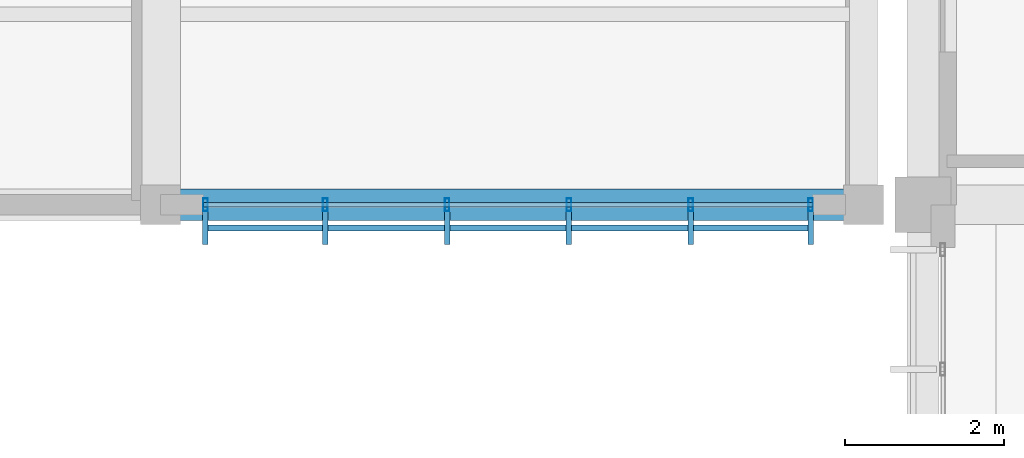
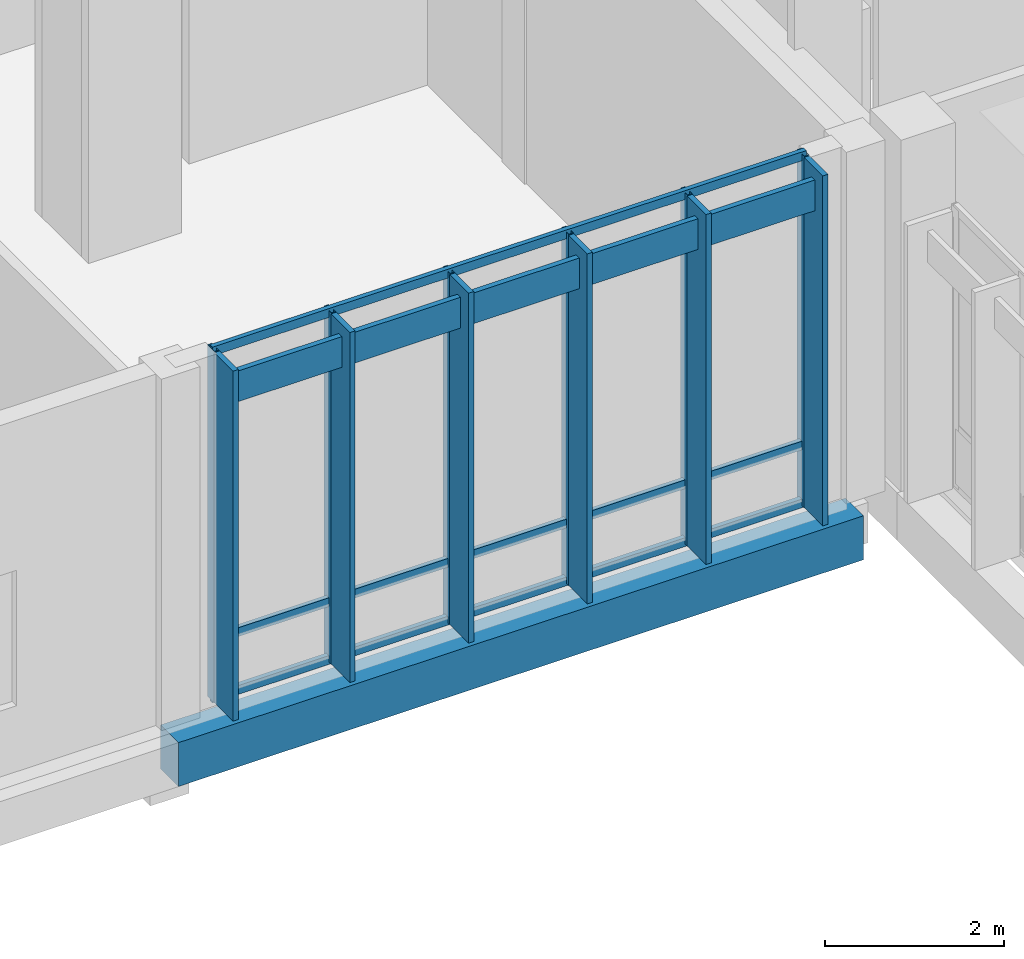
# One storey, part 52 of 177: 16 members, 1 beam, 1 element without a shape of its own.
"""IFC4 building model written with IfcOpenShell, lengths in metres."""

from ifc_helpers import new_model, si_unit, direction, frame, origin, origin_2d, place, context, subcontext, project, spatial, rectangle, hollow_rectangle, extrude, material, material_profile, profile_set, type_object, element, aggregate, save


model = new_model("IFC4")

# Units and contexts
model_context = context("Model", 3, precision=1e-05, world=origin(), true_north=direction((0.0, 1.0)))
body_context = subcontext(model_context, "Body", "Model", "MODEL_VIEW")
ifc_project = project(units=[si_unit("LENGTHUNIT", "METRE"), si_unit("AREAUNIT", "SQUARE_METRE"), si_unit("VOLUMEUNIT", "CUBIC_METRE"), si_unit("PLANEANGLEUNIT", "RADIAN"), si_unit("MASSUNIT", "GRAM", prefix="KILO")], contexts=[model_context])

# Site, building, storey
site_placement = place(None, origin())
site = spatial("IfcSite", under=ifc_project, at=site_placement, CompositionType="ELEMENT")
building_placement = place(site_placement, origin())
building = spatial("IfcBuilding", under=site, at=building_placement, Name="Chiffa Square Polytechnic", CompositionType="ELEMENT")
storey_placement = place(building_placement, frame((0.0, 0.0, 4.800048828125)))
storey = spatial("IfcBuildingStorey", under=building, at=storey_placement, Name="L01", CompositionType="ELEMENT", Elevation=4.800048828125)

# Beam
ifc_material_1 = material(Name="Concrete C35/45", Category="concrete")
ifc_material_profile_1 = material_profile(ifc_material_1, rectangle(XDim=0.39990234375, YDim=0.60009765625, at=origin_2d()), Name="RC 400x600")
ifc_profile_set_1 = profile_set([ifc_material_profile_1], Name="Concrete C35/45")
beam_type = type_object("IfcBeamType", Name="BM-RC-400X600", PredefinedType="BEAM", material=ifc_profile_set_1)
beam_placement = place(storey_placement, frame((102.60009765625, 21.60009765625, -0.580078125), z_axis=(1.0, 0.0, 0.0), x_axis=(0.0, 1.0, 0.0)))
element("IfcBeam", 1, at=beam_placement, inside=storey, type_object=beam_type, Name="Primary floor girder BM-V4-L01-X-1026-0216", PredefinedType="BEAM", context=body_context, shape_type="SweptSolid", body=[
    extrude(rectangle(XDim=0.39990234375, YDim=0.60009765625, at=origin_2d()), origin(), (0.0, 0.0, 1.0), 8.849853515625),
])

# Curtain wall, members
ifc_material_2 = material(Name="Aluminium EN AW-6060 T66 and glulam shading", Category="wood")
curtain_wall_type = type_object("IfcCurtainWallType", Name="CW-VERT-600X440", PredefinedType="USERDEFINED", material=ifc_material_2)
curtain_wall_placement = place(storey_placement, origin())
curtain_wall = element("IfcCurtainWall", 2, at=curtain_wall_placement, inside=storey, type_object=curtain_wall_type, Name="Curtain wall CW-V4-L01-185", ObjectType="CURTAIN WALL", PredefinedType="USERDEFINED")
ifc_material_3 = material(Name="Aluminium EN AW-6060 T66", Category="aluminium")
ifc_material_profile_2 = material_profile(ifc_material_3, hollow_rectangle(XDim=0.06005859375, YDim=0.159912109375, WallThickness=0.00390625, at=origin_2d()), Name="ALU 60x160x4")
ifc_profile_set_2 = profile_set([ifc_material_profile_2], Name="Aluminium EN AW-6060 T66")
member_type_1 = type_object("IfcMemberType", Name="CWM-ALU-65X150", PredefinedType="MULLION", material=ifc_profile_set_2)
member_1_placement = place(storey_placement, frame((103.1650390625, 21.60009765625, 0.0), z_axis=(0.0, 0.0, 1.0), x_axis=(1.0, 0.0, 0.0)))
member_1 = element("IfcMember", 3, at=member_1_placement, type_object=member_type_1, Name="Curtain wall mullion CW-V4-L01-185-M00", PredefinedType="MULLION", context=body_context, shape_type="SweptSolid", body=[
    extrude(hollow_rectangle(XDim=0.06005859375, YDim=0.159912109375, WallThickness=0.00390625, at=origin_2d()), origin(), (0.0, 0.0, 1.0), 4.800048828125),
])
member_2_placement = place(storey_placement, frame((104.674072265625, 21.60009765625, 0.0), z_axis=(0.0, 0.0, 1.0), x_axis=(1.0, 0.0, 0.0)))
member_2 = element("IfcMember", 4, at=member_2_placement, type_object=member_type_1, Name="Curtain wall mullion CW-V4-L01-185-M01", PredefinedType="MULLION", context=body_context, shape_type="SweptSolid", body=[
    extrude(hollow_rectangle(XDim=0.06005859375, YDim=0.159912109375, WallThickness=0.00390625, at=origin_2d()), origin(), (0.0, 0.0, 1.0), 4.800048828125),
])
member_3_placement = place(storey_placement, frame((106.2080078125, 21.60009765625, 0.0), z_axis=(0.0, 0.0, 1.0), x_axis=(1.0, 0.0, 0.0)))
member_3 = element("IfcMember", 5, at=member_3_placement, type_object=member_type_1, Name="Curtain wall mullion CW-V4-L01-185-M02", PredefinedType="MULLION", context=body_context, shape_type="SweptSolid", body=[
    extrude(hollow_rectangle(XDim=0.06005859375, YDim=0.159912109375, WallThickness=0.00390625, at=origin_2d()), origin(), (0.0, 0.0, 1.0), 4.800048828125),
])
member_4_placement = place(storey_placement, frame((107.741943359375, 21.60009765625, 0.0), z_axis=(0.0, 0.0, 1.0), x_axis=(1.0, 0.0, 0.0)))
member_4 = element("IfcMember", 6, at=member_4_placement, type_object=member_type_1, Name="Curtain wall mullion CW-V4-L01-185-M03", PredefinedType="MULLION", context=body_context, shape_type="SweptSolid", body=[
    extrude(hollow_rectangle(XDim=0.06005859375, YDim=0.159912109375, WallThickness=0.00390625, at=origin_2d()), origin(), (0.0, 0.0, 1.0), 4.800048828125),
])
member_5_placement = place(storey_placement, frame((109.27587890625, 21.60009765625, 0.0), z_axis=(0.0, 0.0, 1.0), x_axis=(1.0, 0.0, 0.0)))
member_5 = element("IfcMember", 7, at=member_5_placement, type_object=member_type_1, Name="Curtain wall mullion CW-V4-L01-185-M04", PredefinedType="MULLION", context=body_context, shape_type="SweptSolid", body=[
    extrude(hollow_rectangle(XDim=0.06005859375, YDim=0.159912109375, WallThickness=0.00390625, at=origin_2d()), origin(), (0.0, 0.0, 1.0), 4.800048828125),
])
member_6_placement = place(storey_placement, frame((110.784912109375, 21.60009765625, 0.0), z_axis=(0.0, 0.0, 1.0), x_axis=(1.0, 0.0, 0.0)))
member_6 = element("IfcMember", 8, at=member_6_placement, type_object=member_type_1, Name="Curtain wall mullion CW-V4-L01-185-M05", PredefinedType="MULLION", context=body_context, shape_type="SweptSolid", body=[
    extrude(hollow_rectangle(XDim=0.06005859375, YDim=0.159912109375, WallThickness=0.00390625, at=origin_2d()), origin(), (0.0, 0.0, 1.0), 4.800048828125),
])
ifc_material_4 = material(Name="Glulam GL28h", Category="wood")
ifc_material_profile_3 = material_profile(ifc_material_4, rectangle(XDim=0.070068359375, YDim=0.419921875, at=origin_2d()), Name="GL28h 70x420")
ifc_profile_set_3 = profile_set([ifc_material_profile_3], Name="Glulam GL28h")
member_type_2 = type_object("IfcMemberType", Name="CWM-GL-70X420", PredefinedType="MULLION", material=ifc_profile_set_3)
member_7_placement = place(storey_placement, frame((103.1650390625, 21.30810546875, 0.010009765625), z_axis=(0.0, 0.0, 1.0), x_axis=(1.0, 0.0, 0.0)))
member_7 = element("IfcMember", 9, at=member_7_placement, type_object=member_type_2, Name="Exterior glulam solar fin CW-V4-L01-185-FN00", PredefinedType="MULLION", context=body_context, shape_type="SweptSolid", body=[
    extrude(rectangle(XDim=0.070068359375, YDim=0.419921875, at=origin_2d()), origin(), (0.0, 0.0, 1.0), 4.780029296875),
])
member_8_placement = place(storey_placement, frame((104.674072265625, 21.30810546875, 0.010009765625), z_axis=(0.0, 0.0, 1.0), x_axis=(1.0, 0.0, 0.0)))
member_8 = element("IfcMember", 10, at=member_8_placement, type_object=member_type_2, Name="Exterior glulam solar fin CW-V4-L01-185-FN01", PredefinedType="MULLION", context=body_context, shape_type="SweptSolid", body=[
    extrude(rectangle(XDim=0.070068359375, YDim=0.419921875, at=origin_2d()), origin(), (0.0, 0.0, 1.0), 4.780029296875),
])
member_9_placement = place(storey_placement, frame((106.2080078125, 21.30810546875, 0.010009765625), z_axis=(0.0, 0.0, 1.0), x_axis=(1.0, 0.0, 0.0)))
member_9 = element("IfcMember", 11, at=member_9_placement, type_object=member_type_2, Name="Exterior glulam solar fin CW-V4-L01-185-FN02", PredefinedType="MULLION", context=body_context, shape_type="SweptSolid", body=[
    extrude(rectangle(XDim=0.070068359375, YDim=0.419921875, at=origin_2d()), origin(), (0.0, 0.0, 1.0), 4.780029296875),
])
member_10_placement = place(storey_placement, frame((107.741943359375, 21.30810546875, 0.010009765625), z_axis=(0.0, 0.0, 1.0), x_axis=(1.0, 0.0, 0.0)))
member_10 = element("IfcMember", 12, at=member_10_placement, type_object=member_type_2, Name="Exterior glulam solar fin CW-V4-L01-185-FN03", PredefinedType="MULLION", context=body_context, shape_type="SweptSolid", body=[
    extrude(rectangle(XDim=0.070068359375, YDim=0.419921875, at=origin_2d()), origin(), (0.0, 0.0, 1.0), 4.780029296875),
])
member_11_placement = place(storey_placement, frame((109.27587890625, 21.30810546875, 0.010009765625), z_axis=(0.0, 0.0, 1.0), x_axis=(1.0, 0.0, 0.0)))
member_11 = element("IfcMember", 13, at=member_11_placement, type_object=member_type_2, Name="Exterior glulam solar fin CW-V4-L01-185-FN04", PredefinedType="MULLION", context=body_context, shape_type="SweptSolid", body=[
    extrude(rectangle(XDim=0.070068359375, YDim=0.419921875, at=origin_2d()), origin(), (0.0, 0.0, 1.0), 4.780029296875),
])
member_12_placement = place(storey_placement, frame((110.784912109375, 21.30810546875, 0.010009765625), z_axis=(0.0, 0.0, 1.0), x_axis=(1.0, 0.0, 0.0)))
member_12 = element("IfcMember", 14, at=member_12_placement, type_object=member_type_2, Name="Exterior glulam solar fin CW-V4-L01-185-FN05", PredefinedType="MULLION", context=body_context, shape_type="SweptSolid", body=[
    extrude(rectangle(XDim=0.070068359375, YDim=0.419921875, at=origin_2d()), origin(), (0.0, 0.0, 1.0), 4.780029296875),
])
ifc_material_profile_4 = material_profile(ifc_material_3, hollow_rectangle(XDim=0.06005859375, YDim=0.1201171875, WallThickness=0.00390625, at=origin_2d()), Name="ALU 60x120x4")
ifc_profile_set_4 = profile_set([ifc_material_profile_4], Name="Aluminium EN AW-6060 T66")
member_type_3 = type_object("IfcMemberType", Name="CWT-ALU-65X120", PredefinedType="USERDEFINED", material=ifc_profile_set_4)
member_13_placement = place(storey_placement, frame((103.137939453125, 21.60009765625, 0.030029296875), z_axis=(1.0, 0.0, 0.0), x_axis=(0.0, 1.0, 0.0)))
member_13 = element("IfcMember", 15, at=member_13_placement, type_object=member_type_3, Name="Curtain wall transom CW-V4-L01-185-T01", ObjectType="TRANSOM", PredefinedType="USERDEFINED", context=body_context, shape_type="SweptSolid", body=[
    extrude(hollow_rectangle(XDim=0.06005859375, YDim=0.1201171875, WallThickness=0.00390625, at=origin_2d()), origin(), (0.0, 0.0, 1.0), 7.674072265625),
])
member_14_placement = place(storey_placement, frame((103.137939453125, 21.60009765625, 0.820068359375), z_axis=(1.0, 0.0, 0.0), x_axis=(0.0, 1.0, 0.0)))
member_14 = element("IfcMember", 16, at=member_14_placement, type_object=member_type_3, Name="Curtain wall transom CW-V4-L01-185-T02", ObjectType="TRANSOM", PredefinedType="USERDEFINED", context=body_context, shape_type="SweptSolid", body=[
    extrude(hollow_rectangle(XDim=0.06005859375, YDim=0.1201171875, WallThickness=0.00390625, at=origin_2d()), origin(), (0.0, 0.0, 1.0), 7.674072265625),
])
member_15_placement = place(storey_placement, frame((103.137939453125, 21.60009765625, 4.77001953125), z_axis=(1.0, 0.0, 0.0), x_axis=(0.0, 1.0, 0.0)))
member_15 = element("IfcMember", 17, at=member_15_placement, type_object=member_type_3, Name="Curtain wall transom CW-V4-L01-185-T03", ObjectType="TRANSOM", PredefinedType="USERDEFINED", context=body_context, shape_type="SweptSolid", body=[
    extrude(hollow_rectangle(XDim=0.06005859375, YDim=0.1201171875, WallThickness=0.00390625, at=origin_2d()), origin(), (0.0, 0.0, 1.0), 7.674072265625),
])
ifc_material_profile_5 = material_profile(ifc_material_4, rectangle(XDim=0.070068359375, YDim=0.419921875, at=origin_2d()), Name="GL28h 70x420")
ifc_profile_set_5 = profile_set([ifc_material_profile_5], Name="Glulam GL28h")
member_type_4 = type_object("IfcMemberType", Name="CWT-GL-70X420", PredefinedType="USERDEFINED", material=ifc_profile_set_5)
member_16_placement = place(storey_placement, frame((103.1650390625, 21.30810546875, 4.419921875), z_axis=(1.0, 0.0, 0.0), x_axis=(0.0, 1.0, 0.0)))
member_16 = element("IfcMember", 18, at=member_16_placement, type_object=member_type_4, Name="Exterior glulam brise-soleil CW-V4-L01-185-BS01", ObjectType="TRANSOM", PredefinedType="USERDEFINED", context=body_context, shape_type="SweptSolid", body=[
    extrude(rectangle(XDim=0.070068359375, YDim=0.419921875, at=origin_2d()), origin(), (0.0, 0.0, 1.0), 7.619873046875),
])
aggregate(curtain_wall, [member_1, member_7, member_2, member_8, member_3, member_9, member_4, member_10, member_5, member_11, member_6, member_12, member_13, member_14, member_15, member_16])

save(model, "model.ifc")
